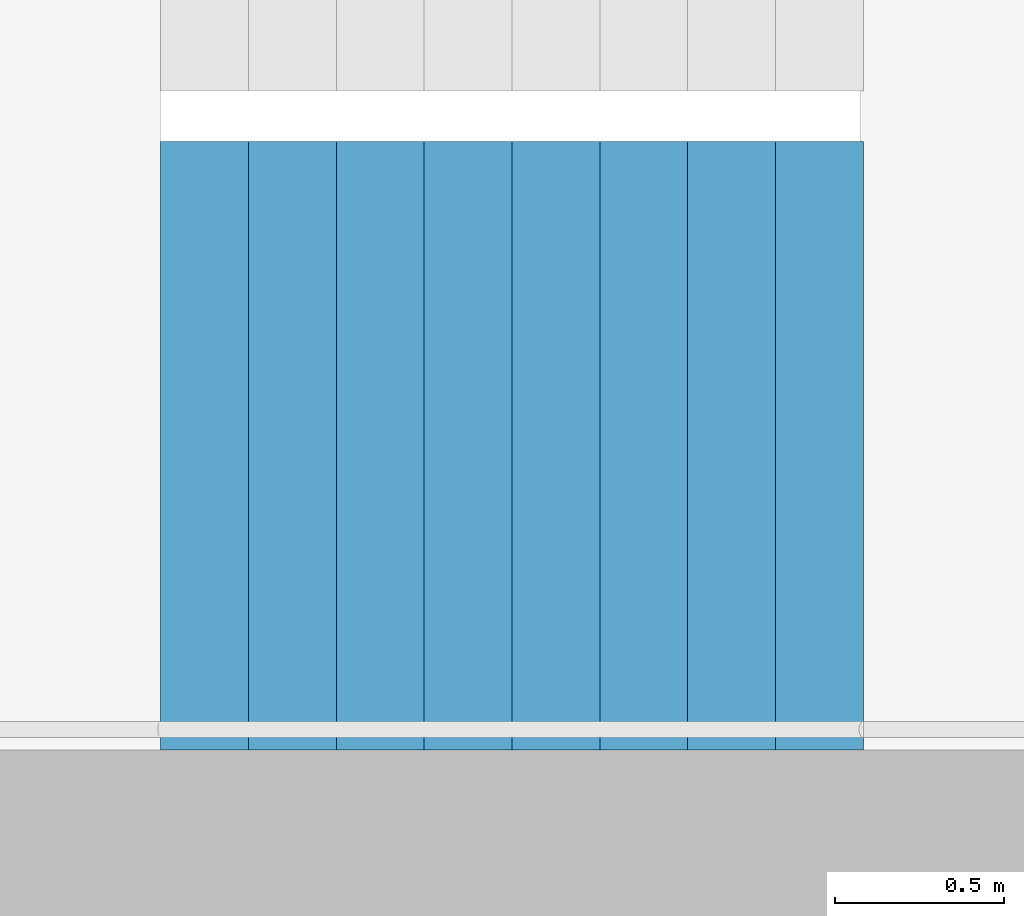
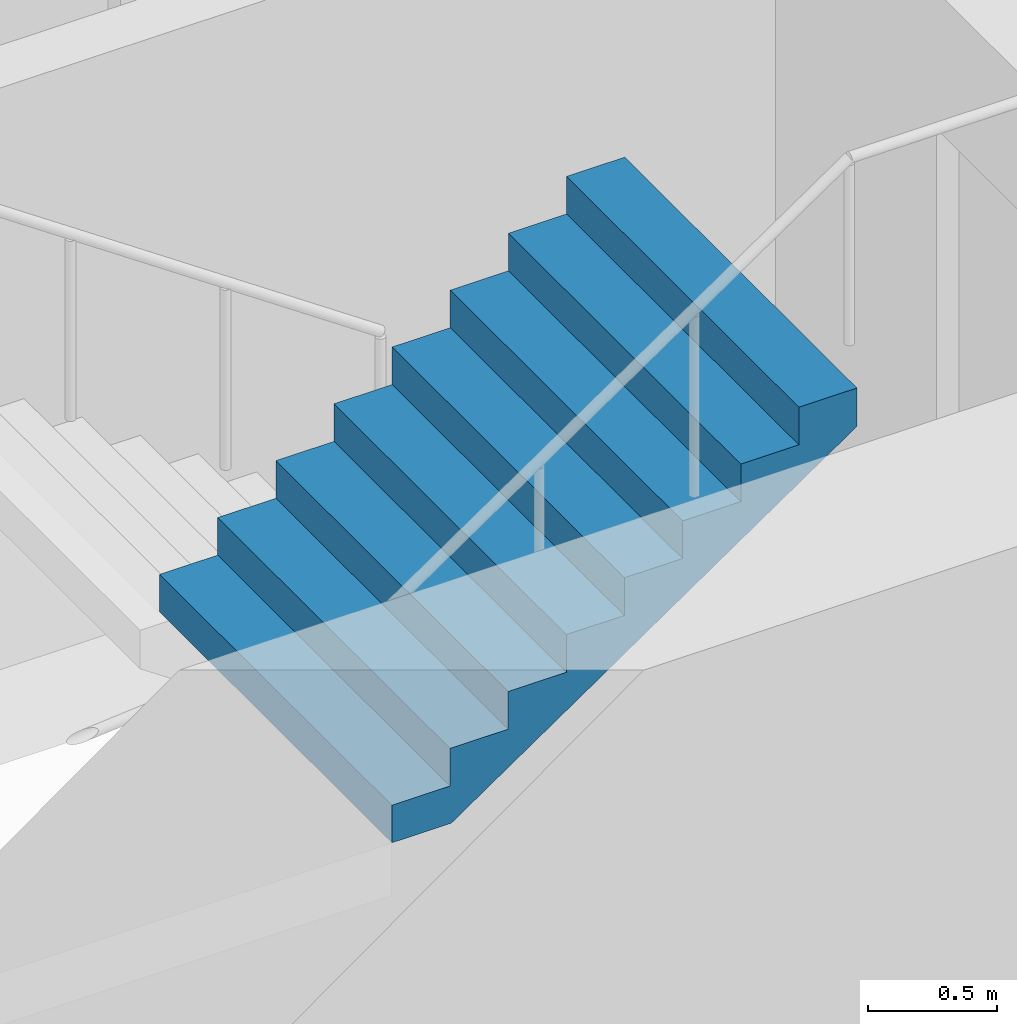
# One storey, part 18 of 26: 1 stair flight, 1 element without a shape of its own.
"""IFC4 building model written with IfcOpenShell, lengths in metres."""

from ifc_helpers import new_model, si_unit, direction, frame, origin, place, context, subcontext, project, spatial, triangles, material, type_object, element, aggregate, save


model = new_model("IFC4")

# Units and contexts
model_context = context("Model", 3, precision=1e-05, world=origin(), true_north=direction((0.0, 1.0)))
body_context = subcontext(model_context, "Body", "Model", "MODEL_VIEW")
ifc_project = project(units=[si_unit("LENGTHUNIT", "METRE"), si_unit("AREAUNIT", "SQUARE_METRE"), si_unit("VOLUMEUNIT", "CUBIC_METRE"), si_unit("PLANEANGLEUNIT", "RADIAN"), si_unit("MASSUNIT", "GRAM", prefix="KILO")], contexts=[model_context])

# Site, building, storey
site_placement = place(None, origin())
site = spatial("IfcSite", under=ifc_project, at=site_placement, CompositionType="ELEMENT")
building_placement = place(site_placement, origin())
building = spatial("IfcBuilding", under=site, at=building_placement, Name="Hakoniwa Tower and Hamabe Station Hall", CompositionType="ELEMENT")
storey_placement = place(building_placement, frame((0.0, 0.0, 196.199951171875)))
storey = spatial("IfcBuildingStorey", under=building, at=storey_placement, Name="L55", CompositionType="ELEMENT", Elevation=196.199951171875)

# Stair, stair flight
ifc_material_1 = material(Name="Concrete C40", Category="concrete")
stair_type = type_object("IfcStairType", Name="ESCAPE STAIR 1800", PredefinedType="HALF_TURN_STAIR", material=ifc_material_1)
stair_placement = place(storey_placement, origin())
stair = element("IfcStair", 1, at=stair_placement, inside=storey, type_object=stair_type, Name="Escape stair ST-2 L55", PredefinedType="HALF_TURN_STAIR")
ifc_material_2 = material(Name="Concrete C40", Category="concrete")
stair_flight_type = type_object("IfcStairFlightType", Name="STAIR FLIGHT 1800", PredefinedType="STRAIGHT", material=ifc_material_2)
stair_flight_placement = place(storey_placement, frame((-25.47998046875, -6.60009765625, 1.60009765625), z_axis=(0.0, 0.0, 1.0), x_axis=(1.0, 0.0, 0.0)))
stair_flight = element("IfcStairFlight", 2, at=stair_flight_placement, type_object=stair_flight_type, Name="ST-2 flight 2", NumberOfRisers=9, NumberOfTreads=8, PredefinedType="STRAIGHT", RiserHeight=0.177777778, TreadLength=0.26, context=body_context, shape_type="Tessellation", body=[
    triangles([(0.0, 0.89990234375, 0.0), (0.260009765625, 0.89990234375, 0.0), (0.265625, 0.89990234375, 0.0), (0.52001953125, 0.89990234375, 0.174072265625), (0.780029296875, 0.89990234375, 0.351806640625), (1.0400390625, 0.89990234375, 0.529541015625), (1.300048828125, 0.89990234375, 0.707275390625), (1.56005859375, 0.89990234375, 0.885009765625), (1.820068359375, 0.89990234375, 1.062744140625), (2.080078125, 0.89990234375, 1.24072265625), (2.080078125, 0.89990234375, 1.422119140625), (1.820068359375, 0.89990234375, 1.422119140625), (1.820068359375, 0.89990234375, 1.244384765625), (1.56005859375, 0.89990234375, 1.244384765625), (1.56005859375, 0.89990234375, 1.066650390625), (1.300048828125, 0.89990234375, 1.066650390625), (1.300048828125, 0.89990234375, 0.888916015625), (1.0400390625, 0.89990234375, 0.888916015625), (1.0400390625, 0.89990234375, 0.711181640625), (0.780029296875, 0.89990234375, 0.711181640625), (0.780029296875, 0.89990234375, 0.533447265625), (0.52001953125, 0.89990234375, 0.533447265625), (0.52001953125, 0.89990234375, 0.35546875), (0.265625, 0.89990234375, 0.35546875), (0.260009765625, 0.89990234375, 0.35546875), (0.260009765625, 0.89990234375, 0.177734375), (0.0, 0.89990234375, 0.177734375), (0.0, 0.06005859375, 0.0), (0.260009765625, 0.06005859375, 0.0), (0.265625, 0.06005859375, 0.0), (0.52001953125, 0.06005859375, 0.174072265625), (0.780029296875, 0.06005859375, 0.351806640625), (1.0400390625, 0.06005859375, 0.529541015625), (1.300048828125, 0.06005859375, 0.707275390625), (1.56005859375, 0.06005859375, 0.885009765625), (1.820068359375, 0.06005859375, 1.062744140625), (2.080078125, 0.06005859375, 1.24072265625), (2.080078125, 0.06005859375, 1.422119140625), (1.820068359375, 0.06005859375, 1.422119140625), (1.820068359375, 0.06005859375, 1.244384765625), (1.56005859375, 0.06005859375, 1.244384765625), (1.56005859375, 0.06005859375, 1.066650390625), (1.300048828125, 0.06005859375, 1.066650390625), (1.300048828125, 0.06005859375, 0.888916015625), (1.0400390625, 0.06005859375, 0.888916015625), (1.0400390625, 0.06005859375, 0.711181640625), (0.780029296875, 0.06005859375, 0.711181640625), (0.780029296875, 0.06005859375, 0.533447265625), (0.52001953125, 0.06005859375, 0.533447265625), (0.52001953125, 0.06005859375, 0.35546875), (0.265625, 0.06005859375, 0.35546875), (0.260009765625, 0.06005859375, 0.35546875), (0.260009765625, 0.06005859375, 0.177734375), (0.0, 0.06005859375, 0.177734375), (0.0, 0.04296875, 0.0), (0.260009765625, 0.04296875, 0.0), (0.265625, 0.04296875, 0.0), (0.52001953125, 0.04296875, 0.174072265625), (0.780029296875, 0.04296875, 0.351806640625), (1.0400390625, 0.04296875, 0.529541015625), (1.300048828125, 0.04296875, 0.707275390625), (1.56005859375, 0.04296875, 0.885009765625), (1.820068359375, 0.04296875, 1.062744140625), (2.080078125, 0.04296875, 1.24072265625), (2.080078125, 0.04296875, 1.422119140625), (1.820068359375, 0.04296875, 1.422119140625), (1.820068359375, 0.04296875, 1.244384765625), (1.56005859375, 0.04296875, 1.244384765625), (1.56005859375, 0.04296875, 1.066650390625), (1.300048828125, 0.04296875, 1.066650390625), (1.300048828125, 0.04296875, 0.888916015625), (1.0400390625, 0.04296875, 0.888916015625), (1.0400390625, 0.04296875, 0.711181640625), (0.780029296875, 0.04296875, 0.711181640625), (0.780029296875, 0.04296875, 0.533447265625), (0.52001953125, 0.04296875, 0.533447265625), (0.52001953125, 0.04296875, 0.35546875), (0.265625, 0.04296875, 0.35546875), (0.260009765625, 0.04296875, 0.35546875), (0.260009765625, 0.04296875, 0.177734375), (0.0, 0.04296875, 0.177734375), (0.0, 0.025634765625, 0.0), (0.260009765625, 0.025634765625, 0.0), (0.265625, 0.025634765625, 0.0), (0.52001953125, 0.025634765625, 0.174072265625), (0.780029296875, 0.025634765625, 0.351806640625), (1.0400390625, 0.025634765625, 0.529541015625), (1.300048828125, 0.025634765625, 0.707275390625), (1.56005859375, 0.025634765625, 0.885009765625), (1.820068359375, 0.025634765625, 1.062744140625), (2.080078125, 0.025634765625, 1.24072265625), (2.080078125, 0.025634765625, 1.422119140625), (1.820068359375, 0.025634765625, 1.422119140625), (1.820068359375, 0.025634765625, 1.244384765625), (1.56005859375, 0.025634765625, 1.244384765625), (1.56005859375, 0.025634765625, 1.066650390625), (1.300048828125, 0.025634765625, 1.066650390625), (1.300048828125, 0.025634765625, 0.888916015625), (1.0400390625, 0.025634765625, 0.888916015625), (1.0400390625, 0.025634765625, 0.711181640625), (0.780029296875, 0.025634765625, 0.711181640625), (0.780029296875, 0.025634765625, 0.533447265625), (0.52001953125, 0.025634765625, 0.533447265625), (0.52001953125, 0.025634765625, 0.35546875), (0.265625, 0.025634765625, 0.35546875), (0.260009765625, 0.025634765625, 0.35546875), (0.260009765625, 0.025634765625, 0.177734375), (0.0, 0.025634765625, 0.177734375), (0.0, 0.008544921875, 0.0), (0.260009765625, 0.008544921875, 0.0), (0.265625, 0.008544921875, 0.0), (0.52001953125, 0.008544921875, 0.174072265625), (0.780029296875, 0.008544921875, 0.351806640625), (1.0400390625, 0.008544921875, 0.529541015625), (1.300048828125, 0.008544921875, 0.707275390625), (1.56005859375, 0.008544921875, 0.885009765625), (1.820068359375, 0.008544921875, 1.062744140625), (2.080078125, 0.008544921875, 1.24072265625), (2.080078125, 0.008544921875, 1.422119140625), (1.820068359375, 0.008544921875, 1.422119140625), (1.820068359375, 0.008544921875, 1.244384765625), (1.56005859375, 0.008544921875, 1.244384765625), (1.56005859375, 0.008544921875, 1.066650390625), (1.300048828125, 0.008544921875, 1.066650390625), (1.300048828125, 0.008544921875, 0.888916015625), (1.0400390625, 0.008544921875, 0.888916015625), (1.0400390625, 0.008544921875, 0.711181640625), (0.780029296875, 0.008544921875, 0.711181640625), (0.780029296875, 0.008544921875, 0.533447265625), (0.52001953125, 0.008544921875, 0.533447265625), (0.52001953125, 0.008544921875, 0.35546875), (0.265625, 0.008544921875, 0.35546875), (0.260009765625, 0.008544921875, 0.35546875), (0.260009765625, 0.008544921875, 0.177734375), (0.0, 0.008544921875, 0.177734375), (0.0, -0.008544921875, 0.0), (0.260009765625, -0.008544921875, 0.0), (0.265625, -0.008544921875, 0.0), (0.52001953125, -0.008544921875, 0.174072265625), (0.780029296875, -0.008544921875, 0.351806640625), (1.0400390625, -0.008544921875, 0.529541015625), (1.300048828125, -0.008544921875, 0.707275390625), (1.56005859375, -0.008544921875, 0.885009765625), (1.820068359375, -0.008544921875, 1.062744140625), (2.080078125, -0.008544921875, 1.24072265625), (2.080078125, -0.008544921875, 1.422119140625), (1.820068359375, -0.008544921875, 1.422119140625), (1.820068359375, -0.008544921875, 1.244384765625), (1.56005859375, -0.008544921875, 1.244384765625), (1.56005859375, -0.008544921875, 1.066650390625), (1.300048828125, -0.008544921875, 1.066650390625), (1.300048828125, -0.008544921875, 0.888916015625), (1.0400390625, -0.008544921875, 0.888916015625), (1.0400390625, -0.008544921875, 0.711181640625), (0.780029296875, -0.008544921875, 0.711181640625), (0.780029296875, -0.008544921875, 0.533447265625), (0.52001953125, -0.008544921875, 0.533447265625), (0.52001953125, -0.008544921875, 0.35546875), (0.265625, -0.008544921875, 0.35546875), (0.260009765625, -0.008544921875, 0.35546875), (0.260009765625, -0.008544921875, 0.177734375), (0.0, -0.008544921875, 0.177734375), (0.0, -0.025634765625, 0.0), (0.260009765625, -0.025634765625, 0.0), (0.265625, -0.025634765625, 0.0), (0.52001953125, -0.025634765625, 0.174072265625), (0.780029296875, -0.025634765625, 0.351806640625), (1.0400390625, -0.025634765625, 0.529541015625), (1.300048828125, -0.025634765625, 0.707275390625), (1.56005859375, -0.025634765625, 0.885009765625), (1.820068359375, -0.025634765625, 1.062744140625), (2.080078125, -0.025634765625, 1.24072265625), (2.080078125, -0.025634765625, 1.422119140625), (1.820068359375, -0.025634765625, 1.422119140625), (1.820068359375, -0.025634765625, 1.244384765625), (1.56005859375, -0.025634765625, 1.244384765625), (1.56005859375, -0.025634765625, 1.066650390625), (1.300048828125, -0.025634765625, 1.066650390625), (1.300048828125, -0.025634765625, 0.888916015625), (1.0400390625, -0.025634765625, 0.888916015625), (1.0400390625, -0.025634765625, 0.711181640625), (0.780029296875, -0.025634765625, 0.711181640625), (0.780029296875, -0.025634765625, 0.533447265625), (0.52001953125, -0.025634765625, 0.533447265625), (0.52001953125, -0.025634765625, 0.35546875), (0.265625, -0.025634765625, 0.35546875), (0.260009765625, -0.025634765625, 0.35546875), (0.260009765625, -0.025634765625, 0.177734375), (0.0, -0.025634765625, 0.177734375), (0.0, -0.04296875, 0.0), (0.260009765625, -0.04296875, 0.0), (0.265625, -0.04296875, 0.0), (0.52001953125, -0.04296875, 0.174072265625), (0.780029296875, -0.04296875, 0.351806640625), (1.0400390625, -0.04296875, 0.529541015625), (1.300048828125, -0.04296875, 0.707275390625), (1.56005859375, -0.04296875, 0.885009765625), (1.820068359375, -0.04296875, 1.062744140625), (2.080078125, -0.04296875, 1.24072265625), (2.080078125, -0.04296875, 1.422119140625), (1.820068359375, -0.04296875, 1.422119140625), (1.820068359375, -0.04296875, 1.244384765625), (1.56005859375, -0.04296875, 1.244384765625), (1.56005859375, -0.04296875, 1.066650390625), (1.300048828125, -0.04296875, 1.066650390625), (1.300048828125, -0.04296875, 0.888916015625), (1.0400390625, -0.04296875, 0.888916015625), (1.0400390625, -0.04296875, 0.711181640625), (0.780029296875, -0.04296875, 0.711181640625), (0.780029296875, -0.04296875, 0.533447265625), (0.52001953125, -0.04296875, 0.533447265625), (0.52001953125, -0.04296875, 0.35546875), (0.265625, -0.04296875, 0.35546875), (0.260009765625, -0.04296875, 0.35546875), (0.260009765625, -0.04296875, 0.177734375), (0.0, -0.04296875, 0.177734375), (0.0, -0.06005859375, 0.0), (0.260009765625, -0.06005859375, 0.0), (0.265625, -0.06005859375, 0.0), (0.52001953125, -0.06005859375, 0.174072265625), (0.780029296875, -0.06005859375, 0.351806640625), (1.0400390625, -0.06005859375, 0.529541015625), (1.300048828125, -0.06005859375, 0.707275390625), (1.56005859375, -0.06005859375, 0.885009765625), (1.820068359375, -0.06005859375, 1.062744140625), (2.080078125, -0.06005859375, 1.24072265625), (2.080078125, -0.06005859375, 1.422119140625), (1.820068359375, -0.06005859375, 1.422119140625), (1.820068359375, -0.06005859375, 1.244384765625), (1.56005859375, -0.06005859375, 1.244384765625), (1.56005859375, -0.06005859375, 1.066650390625), (1.300048828125, -0.06005859375, 1.066650390625), (1.300048828125, -0.06005859375, 0.888916015625), (1.0400390625, -0.06005859375, 0.888916015625), (1.0400390625, -0.06005859375, 0.711181640625), (0.780029296875, -0.06005859375, 0.711181640625), (0.780029296875, -0.06005859375, 0.533447265625), (0.52001953125, -0.06005859375, 0.533447265625), (0.52001953125, -0.06005859375, 0.35546875), (0.265625, -0.06005859375, 0.35546875), (0.260009765625, -0.06005859375, 0.35546875), (0.260009765625, -0.06005859375, 0.177734375), (0.0, -0.06005859375, 0.177734375), (0.0, -0.89990234375, 0.0), (0.260009765625, -0.89990234375, 0.0), (0.265625, -0.89990234375, 0.0), (0.52001953125, -0.89990234375, 0.174072265625), (0.780029296875, -0.89990234375, 0.351806640625), (1.0400390625, -0.89990234375, 0.529541015625), (1.300048828125, -0.89990234375, 0.707275390625), (1.56005859375, -0.89990234375, 0.885009765625), (1.820068359375, -0.89990234375, 1.062744140625), (2.080078125, -0.89990234375, 1.24072265625), (2.080078125, -0.89990234375, 1.422119140625), (1.820068359375, -0.89990234375, 1.422119140625), (1.820068359375, -0.89990234375, 1.244384765625), (1.56005859375, -0.89990234375, 1.244384765625), (1.56005859375, -0.89990234375, 1.066650390625), (1.300048828125, -0.89990234375, 1.066650390625), (1.300048828125, -0.89990234375, 0.888916015625), (1.0400390625, -0.89990234375, 0.888916015625), (1.0400390625, -0.89990234375, 0.711181640625), (0.780029296875, -0.89990234375, 0.711181640625), (0.780029296875, -0.89990234375, 0.533447265625), (0.52001953125, -0.89990234375, 0.533447265625), (0.52001953125, -0.89990234375, 0.35546875), (0.265625, -0.89990234375, 0.35546875), (0.260009765625, -0.89990234375, 0.35546875), (0.260009765625, -0.89990234375, 0.177734375), (0.0, -0.89990234375, 0.177734375)], [[2, 27, 26], [245, 269, 270], [2, 1, 27], [245, 270, 244], [3, 25, 24], [246, 267, 268], [3, 26, 25], [246, 268, 269], [3, 2, 26], [246, 269, 245], [4, 24, 23], [247, 266, 267], [4, 3, 24], [247, 267, 246], [5, 22, 21], [248, 264, 265], [5, 23, 22], [248, 265, 266], [5, 4, 23], [248, 266, 247], [6, 20, 19], [249, 262, 263], [6, 21, 20], [249, 263, 264], [6, 5, 21], [249, 264, 248], [7, 18, 17], [250, 260, 261], [7, 19, 18], [250, 261, 262], [7, 6, 19], [250, 262, 249], [8, 16, 15], [251, 258, 259], [8, 17, 16], [251, 259, 260], [8, 7, 17], [251, 260, 250], [9, 14, 13], [252, 256, 257], [9, 15, 14], [252, 257, 258], [9, 8, 15], [252, 258, 251], [10, 12, 11], [253, 254, 255], [10, 13, 12], [253, 255, 256], [10, 9, 13], [253, 256, 252], [1, 2, 29], [1, 29, 28], [28, 29, 56], [28, 56, 55], [55, 56, 83], [55, 83, 82], [82, 83, 110], [82, 110, 109], [109, 110, 137], [109, 137, 136], [136, 137, 164], [136, 164, 163], [163, 164, 191], [163, 191, 190], [190, 191, 218], [190, 218, 217], [217, 218, 245], [217, 245, 244], [2, 3, 30], [2, 30, 29], [29, 30, 57], [29, 57, 56], [56, 57, 84], [56, 84, 83], [83, 84, 111], [83, 111, 110], [110, 111, 138], [110, 138, 137], [137, 138, 165], [137, 165, 164], [164, 165, 192], [164, 192, 191], [191, 192, 219], [191, 219, 218], [218, 219, 246], [218, 246, 245], [3, 4, 31], [3, 31, 30], [30, 31, 58], [30, 58, 57], [57, 58, 85], [57, 85, 84], [84, 85, 112], [84, 112, 111], [111, 112, 139], [111, 139, 138], [138, 139, 166], [138, 166, 165], [165, 166, 193], [165, 193, 192], [192, 193, 220], [192, 220, 219], [219, 220, 247], [219, 247, 246], [4, 5, 32], [4, 32, 31], [31, 32, 59], [31, 59, 58], [58, 59, 86], [58, 86, 85], [85, 86, 113], [85, 113, 112], [112, 113, 140], [112, 140, 139], [139, 140, 167], [139, 167, 166], [166, 167, 194], [166, 194, 193], [193, 194, 221], [193, 221, 220], [220, 221, 248], [220, 248, 247], [5, 6, 33], [5, 33, 32], [32, 33, 60], [32, 60, 59], [59, 60, 87], [59, 87, 86], [86, 87, 114], [86, 114, 113], [113, 114, 141], [113, 141, 140], [140, 141, 168], [140, 168, 167], [167, 168, 195], [167, 195, 194], [194, 195, 222], [194, 222, 221], [221, 222, 249], [221, 249, 248], [6, 7, 34], [6, 34, 33], [33, 34, 61], [33, 61, 60], [60, 61, 88], [60, 88, 87], [87, 88, 115], [87, 115, 114], [114, 115, 142], [114, 142, 141], [141, 142, 169], [141, 169, 168], [168, 169, 196], [168, 196, 195], [195, 196, 223], [195, 223, 222], [222, 223, 250], [222, 250, 249], [7, 8, 35], [7, 35, 34], [34, 35, 62], [34, 62, 61], [61, 62, 89], [61, 89, 88], [88, 89, 116], [88, 116, 115], [115, 116, 143], [115, 143, 142], [142, 143, 170], [142, 170, 169], [169, 170, 197], [169, 197, 196], [196, 197, 224], [196, 224, 223], [223, 224, 251], [223, 251, 250], [8, 9, 36], [8, 36, 35], [35, 36, 63], [35, 63, 62], [62, 63, 90], [62, 90, 89], [89, 90, 117], [89, 117, 116], [116, 117, 144], [116, 144, 143], [143, 144, 171], [143, 171, 170], [170, 171, 198], [170, 198, 197], [197, 198, 225], [197, 225, 224], [224, 225, 252], [224, 252, 251], [9, 10, 37], [9, 37, 36], [36, 37, 64], [36, 64, 63], [63, 64, 91], [63, 91, 90], [90, 91, 118], [90, 118, 117], [117, 118, 145], [117, 145, 144], [144, 145, 172], [144, 172, 171], [171, 172, 199], [171, 199, 198], [198, 199, 226], [198, 226, 225], [225, 226, 253], [225, 253, 252], [10, 11, 38], [10, 38, 37], [37, 38, 65], [37, 65, 64], [64, 65, 92], [64, 92, 91], [91, 92, 119], [91, 119, 118], [118, 119, 146], [118, 146, 145], [145, 146, 173], [145, 173, 172], [172, 173, 200], [172, 200, 199], [199, 200, 227], [199, 227, 226], [226, 227, 254], [226, 254, 253], [11, 12, 39], [11, 39, 38], [38, 39, 66], [38, 66, 65], [65, 66, 93], [65, 93, 92], [92, 93, 120], [92, 120, 119], [119, 120, 147], [119, 147, 146], [146, 147, 174], [146, 174, 173], [173, 174, 201], [173, 201, 200], [200, 201, 228], [200, 228, 227], [227, 228, 255], [227, 255, 254], [12, 13, 40], [12, 40, 39], [39, 40, 67], [39, 67, 66], [66, 67, 94], [66, 94, 93], [93, 94, 121], [93, 121, 120], [120, 121, 148], [120, 148, 147], [147, 148, 175], [147, 175, 174], [174, 175, 202], [174, 202, 201], [201, 202, 229], [201, 229, 228], [228, 229, 256], [228, 256, 255], [13, 14, 41], [13, 41, 40], [40, 41, 68], [40, 68, 67], [67, 68, 95], [67, 95, 94], [94, 95, 122], [94, 122, 121], [121, 122, 149], [121, 149, 148], [148, 149, 176], [148, 176, 175], [175, 176, 203], [175, 203, 202], [202, 203, 230], [202, 230, 229], [229, 230, 257], [229, 257, 256], [14, 15, 42], [14, 42, 41], [41, 42, 69], [41, 69, 68], [68, 69, 96], [68, 96, 95], [95, 96, 123], [95, 123, 122], [122, 123, 150], [122, 150, 149], [149, 150, 177], [149, 177, 176], [176, 177, 204], [176, 204, 203], [203, 204, 231], [203, 231, 230], [230, 231, 258], [230, 258, 257], [15, 16, 43], [15, 43, 42], [42, 43, 70], [42, 70, 69], [69, 70, 97], [69, 97, 96], [96, 97, 124], [96, 124, 123], [123, 124, 151], [123, 151, 150], [150, 151, 178], [150, 178, 177], [177, 178, 205], [177, 205, 204], [204, 205, 232], [204, 232, 231], [231, 232, 259], [231, 259, 258], [16, 17, 44], [16, 44, 43], [43, 44, 71], [43, 71, 70], [70, 71, 98], [70, 98, 97], [97, 98, 125], [97, 125, 124], [124, 125, 152], [124, 152, 151], [151, 152, 179], [151, 179, 178], [178, 179, 206], [178, 206, 205], [205, 206, 233], [205, 233, 232], [232, 233, 260], [232, 260, 259], [17, 18, 45], [17, 45, 44], [44, 45, 72], [44, 72, 71], [71, 72, 99], [71, 99, 98], [98, 99, 126], [98, 126, 125], [125, 126, 153], [125, 153, 152], [152, 153, 180], [152, 180, 179], [179, 180, 207], [179, 207, 206], [206, 207, 234], [206, 234, 233], [233, 234, 261], [233, 261, 260], [18, 19, 46], [18, 46, 45], [45, 46, 73], [45, 73, 72], [72, 73, 100], [72, 100, 99], [99, 100, 127], [99, 127, 126], [126, 127, 154], [126, 154, 153], [153, 154, 181], [153, 181, 180], [180, 181, 208], [180, 208, 207], [207, 208, 235], [207, 235, 234], [234, 235, 262], [234, 262, 261], [19, 20, 47], [19, 47, 46], [46, 47, 74], [46, 74, 73], [73, 74, 101], [73, 101, 100], [100, 101, 128], [100, 128, 127], [127, 128, 155], [127, 155, 154], [154, 155, 182], [154, 182, 181], [181, 182, 209], [181, 209, 208], [208, 209, 236], [208, 236, 235], [235, 236, 263], [235, 263, 262], [20, 21, 48], [20, 48, 47], [47, 48, 75], [47, 75, 74], [74, 75, 102], [74, 102, 101], [101, 102, 129], [101, 129, 128], [128, 129, 156], [128, 156, 155], [155, 156, 183], [155, 183, 182], [182, 183, 210], [182, 210, 209], [209, 210, 237], [209, 237, 236], [236, 237, 264], [236, 264, 263], [21, 22, 49], [21, 49, 48], [48, 49, 76], [48, 76, 75], [75, 76, 103], [75, 103, 102], [102, 103, 130], [102, 130, 129], [129, 130, 157], [129, 157, 156], [156, 157, 184], [156, 184, 183], [183, 184, 211], [183, 211, 210], [210, 211, 238], [210, 238, 237], [237, 238, 265], [237, 265, 264], [22, 23, 50], [22, 50, 49], [49, 50, 77], [49, 77, 76], [76, 77, 104], [76, 104, 103], [103, 104, 131], [103, 131, 130], [130, 131, 158], [130, 158, 157], [157, 158, 185], [157, 185, 184], [184, 185, 212], [184, 212, 211], [211, 212, 239], [211, 239, 238], [238, 239, 266], [238, 266, 265], [23, 24, 51], [23, 51, 50], [50, 51, 78], [50, 78, 77], [77, 78, 105], [77, 105, 104], [104, 105, 132], [104, 132, 131], [131, 132, 159], [131, 159, 158], [158, 159, 186], [158, 186, 185], [185, 186, 213], [185, 213, 212], [212, 213, 240], [212, 240, 239], [239, 240, 267], [239, 267, 266], [24, 25, 52], [24, 52, 51], [51, 52, 79], [51, 79, 78], [78, 79, 106], [78, 106, 105], [105, 106, 133], [105, 133, 132], [132, 133, 160], [132, 160, 159], [159, 160, 187], [159, 187, 186], [186, 187, 214], [186, 214, 213], [213, 214, 241], [213, 241, 240], [240, 241, 268], [240, 268, 267], [25, 26, 53], [25, 53, 52], [52, 53, 80], [52, 80, 79], [79, 80, 107], [79, 107, 106], [106, 107, 134], [106, 134, 133], [133, 134, 161], [133, 161, 160], [160, 161, 188], [160, 188, 187], [187, 188, 215], [187, 215, 214], [214, 215, 242], [214, 242, 241], [241, 242, 269], [241, 269, 268], [26, 27, 54], [26, 54, 53], [53, 54, 81], [53, 81, 80], [80, 81, 108], [80, 108, 107], [107, 108, 135], [107, 135, 134], [134, 135, 162], [134, 162, 161], [161, 162, 189], [161, 189, 188], [188, 189, 216], [188, 216, 215], [215, 216, 243], [215, 243, 242], [242, 243, 270], [242, 270, 269], [27, 1, 28], [27, 28, 54], [54, 28, 55], [54, 55, 81], [81, 55, 82], [81, 82, 108], [108, 82, 109], [108, 109, 135], [135, 109, 136], [135, 136, 162], [162, 136, 163], [162, 163, 189], [189, 163, 190], [189, 190, 216], [216, 190, 217], [216, 217, 243], [243, 217, 244], [243, 244, 270]], closed=True),
])
aggregate(stair, [stair_flight])

save(model, "model.ifc")
